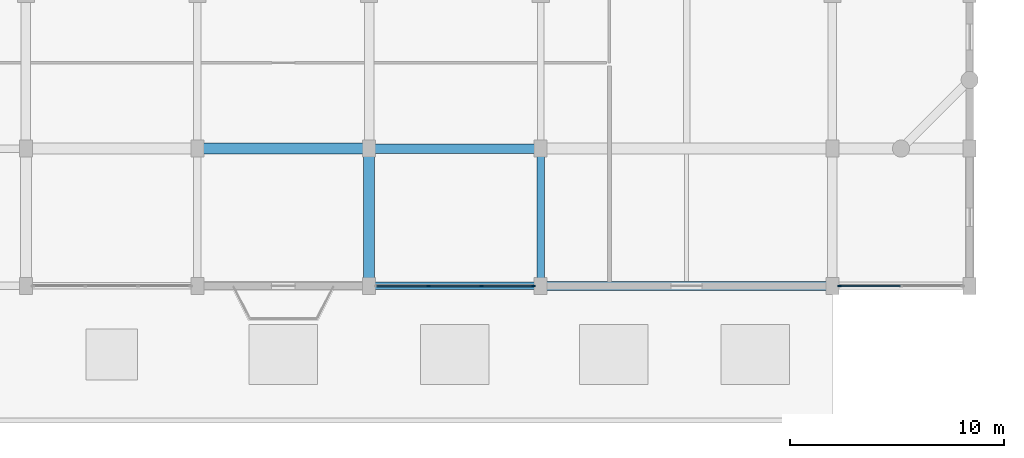
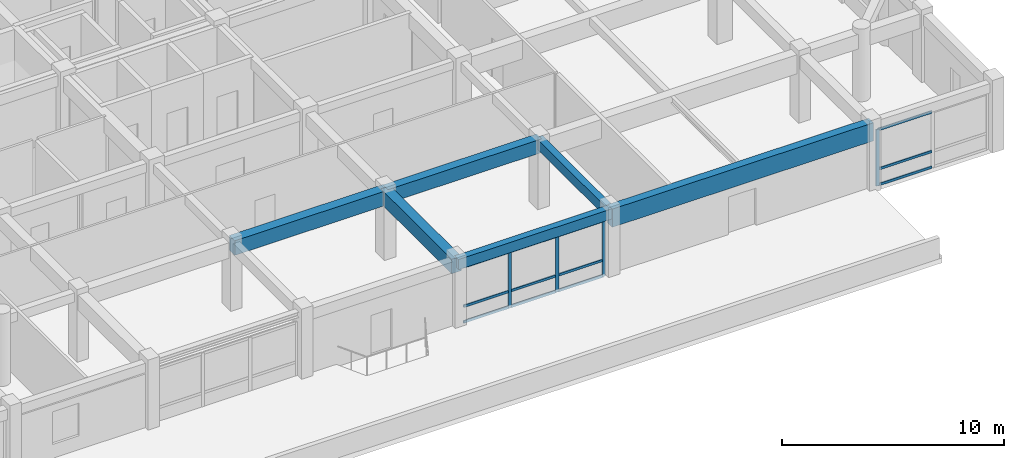
# One storey, part 5 of 20: 16 members, 6 beams, 2 elements without a shape of their own.
"""IFC4 building model written with IfcOpenShell, lengths in metres."""

from ifc_helpers import new_model, si_unit, direction, frame, origin, origin_2d, place, context, subcontext, project, spatial, rectangle, extrude, material, material_profile, profile_set, type_object, element, aggregate, save


model = new_model("IFC4")

# Units and contexts
model_context = context("Model", 3, precision=1e-05, world=origin(), true_north=direction((0.0, 1.0)))
body_context = subcontext(model_context, "Body", "Model", "MODEL_VIEW")
ifc_project = project(units=[si_unit("LENGTHUNIT", "METRE"), si_unit("AREAUNIT", "SQUARE_METRE"), si_unit("VOLUMEUNIT", "CUBIC_METRE"), si_unit("PLANEANGLEUNIT", "RADIAN"), si_unit("MASSUNIT", "GRAM", prefix="KILO")], contexts=[model_context])

# Site, building, storey
site_placement = place(None, origin())
site = spatial("IfcSite", under=ifc_project, at=site_placement, CompositionType="ELEMENT")
building_placement = place(site_placement, origin())
building = spatial("IfcBuilding", under=site, at=building_placement, Name="Vellmiral Cinema and Media Centre", CompositionType="ELEMENT")
storey_placement = place(building_placement, frame((0.0, 0.0, 23.800048828125)))
storey = spatial("IfcBuildingStorey", under=building, at=storey_placement, Name="L05", CompositionType="ELEMENT", Elevation=23.800048828125)

# Beams
ifc_material_1 = material(Name="Concrete C40/50", Category="concrete")
ifc_material_profile_1 = material_profile(ifc_material_1, rectangle(XDim=0.35009765625, YDim=0.550048828125, at=origin_2d()), Name="RC 350x550")
ifc_profile_set_1 = profile_set([ifc_material_profile_1], Name="Concrete C40/50")
beam_type_1 = type_object("IfcBeamType", Name="BM-RC-350x550", PredefinedType="BEAM", material=ifc_profile_set_1)
beam_1_placement = place(storey_placement, frame((148.0, 65.60009765625, 3.419921875), z_axis=(0.0, 1.0, 0.0), x_axis=(-1.0, 0.0, 0.0)))
element("IfcBeam", 1, at=beam_1_placement, inside=storey, type_object=beam_type_1, Name="Grid Beam L05-Y088", PredefinedType="BEAM", context=body_context, shape_type="SweptSolid", body=[
    extrude(rectangle(XDim=0.35009765625, YDim=0.550048828125, at=origin_2d()), origin(), (0.0, 0.0, 1.0), 6.39990234375),
])
ifc_material_2 = material(Name="Concrete C40/50", Category="concrete")
ifc_material_profile_2 = material_profile(ifc_material_2, rectangle(XDim=0.449951171875, YDim=0.75, at=origin_2d()), Name="RC 450x750")
ifc_profile_set_2 = profile_set([ifc_material_profile_2], Name="Concrete C40/50")
beam_type_2 = type_object("IfcBeamType", Name="BM-RC-450x750", PredefinedType="BEAM", material=ifc_profile_set_2)
beam_2_placement = place(storey_placement, frame((140.0, 72.0, 3.320068359375), z_axis=(1.0, 0.0, 0.0), x_axis=(0.0, 1.0, 0.0)))
element("IfcBeam", 2, at=beam_2_placement, inside=storey, type_object=beam_type_2, Name="Grid Beam L05-X014", PredefinedType="BEAM", context=body_context, shape_type="SweptSolid", body=[
    extrude(rectangle(XDim=0.449951171875, YDim=0.75, at=origin_2d()), origin(), (0.0, 0.0, 1.0), 8.0),
])
ifc_material_3 = material(Name="Concrete C40/50", Category="concrete")
ifc_material_profile_3 = material_profile(ifc_material_3, rectangle(XDim=0.5, YDim=0.800048828125, at=origin_2d()), Name="RC 500x800")
ifc_profile_set_3 = profile_set([ifc_material_profile_3], Name="Concrete C40/50")
beam_type_3 = type_object("IfcBeamType", Name="BM-RC-500x800", PredefinedType="BEAM", material=ifc_profile_set_3)
beam_3_placement = place(storey_placement, frame((132.0, 72.0, 3.294921875), z_axis=(1.0, 0.0, 0.0), x_axis=(0.0, 1.0, 0.0)))
element("IfcBeam", 3, at=beam_3_placement, inside=storey, type_object=beam_type_3, Name="Grid Beam L05-X013", PredefinedType="BEAM", context=body_context, shape_type="SweptSolid", body=[
    extrude(rectangle(XDim=0.5, YDim=0.800048828125, at=origin_2d()), origin(), (0.0, 0.0, 1.0), 8.0),
])
beam_4_placement = place(storey_placement, frame((140.0, 65.60009765625, 3.294921875), z_axis=(0.0, 1.0, 0.0), x_axis=(-1.0, 0.0, 0.0)))
element("IfcBeam", 4, at=beam_4_placement, inside=storey, type_object=beam_type_3, Name="Grid Beam L05-Y082", PredefinedType="BEAM", context=body_context, shape_type="SweptSolid", body=[
    extrude(rectangle(XDim=0.5, YDim=0.800048828125, at=origin_2d()), origin(), (0.0, 0.0, 1.0), 6.39990234375),
])

# Curtain wall, members
ifc_material_4 = material(Name="Thermally Broken Aluminium and Triple Glazing", Category="aluminium")
curtain_wall_type = type_object("IfcCurtainWallType", Name="CW-TOWER-LOW-S", PredefinedType="USERDEFINED", material=ifc_material_4)
curtain_wall_1_placement = place(storey_placement, origin())
curtain_wall_1 = element("IfcCurtainWall", 5, at=curtain_wall_1_placement, inside=storey, type_object=curtain_wall_type, Name="Curtain Wall L05-B006", ObjectType="UNITISED CURTAIN WALL", PredefinedType="USERDEFINED")
ifc_material_5 = material(Name="Thermally Broken Anodised Aluminium", Category="aluminium")
ifc_material_profile_4 = material_profile(ifc_material_5, rectangle(XDim=0.06494140625, YDim=0.159912109375, at=origin_2d()), Name="MULL 65x160")
ifc_profile_set_4 = profile_set([ifc_material_profile_4], Name="Thermally Broken Anodised Aluminium")
member_type_1 = type_object("IfcMemberType", Name="CWM-65x160", PredefinedType="MULLION", material=ifc_profile_set_4)
member_1_placement = place(storey_placement, frame((142.7666015625, 65.60009765625, 0.0), z_axis=(0.0, 0.0, 1.0), x_axis=(0.0, 1.0, 0.0)))
member_1 = element("IfcMember", 6, at=member_1_placement, type_object=member_type_1, Name="CW-06 mullion 2", PredefinedType="MULLION", context=body_context, shape_type="SweptSolid", body=[
    extrude(rectangle(XDim=0.06494140625, YDim=0.159912109375, at=origin_2d()), origin(), (0.0, 0.0, 1.0), 3.099853515625),
])
member_2_placement = place(storey_placement, frame((145.2333984375, 65.60009765625, 0.0), z_axis=(0.0, 0.0, 1.0), x_axis=(0.0, 1.0, 0.0)))
member_2 = element("IfcMember", 7, at=member_2_placement, type_object=member_type_1, Name="CW-06 mullion 3", PredefinedType="MULLION", context=body_context, shape_type="SweptSolid", body=[
    extrude(rectangle(XDim=0.06494140625, YDim=0.159912109375, at=origin_2d()), origin(), (0.0, 0.0, 1.0), 3.099853515625),
])
member_3_placement = place(storey_placement, frame((147.66748046875, 65.60009765625, 0.0), z_axis=(0.0, 0.0, 1.0), x_axis=(0.0, 1.0, 0.0)))
member_3 = element("IfcMember", 8, at=member_3_placement, type_object=member_type_1, Name="CW-06 mullion 4", PredefinedType="MULLION", context=body_context, shape_type="SweptSolid", body=[
    extrude(rectangle(XDim=0.06494140625, YDim=0.159912109375, at=origin_2d()), origin(), (0.0, 0.0, 1.0), 3.099853515625),
])

# Curtain wall, member
curtain_wall_2_placement = place(storey_placement, origin())
curtain_wall_2 = element("IfcCurtainWall", 9, at=curtain_wall_2_placement, inside=storey, type_object=curtain_wall_type, Name="Curtain Wall L05-B008", ObjectType="UNITISED CURTAIN WALL", PredefinedType="USERDEFINED")
member_4_placement = place(storey_placement, frame((161.9326171875, 65.60009765625, 0.0), z_axis=(0.0, 0.0, 1.0), x_axis=(0.0, 1.0, 0.0)))
member_4 = element("IfcMember", 10, at=member_4_placement, type_object=member_type_1, Name="CW-06 mullion 1", PredefinedType="MULLION", context=body_context, shape_type="SweptSolid", body=[
    extrude(rectangle(XDim=0.06494140625, YDim=0.159912109375, at=origin_2d()), origin(), (0.0, 0.0, 1.0), 3.099853515625),
])

# Member
ifc_material_6 = material(Name="Thermally Broken Anodised Aluminium", Category="aluminium")
ifc_material_profile_5 = material_profile(ifc_material_6, rectangle(XDim=0.06494140625, YDim=0.135009765625, at=origin_2d()), Name="MULL 65x135")
ifc_profile_set_5 = profile_set([ifc_material_profile_5], Name="Thermally Broken Anodised Aluminium")
member_type_2 = type_object("IfcMemberType", Name="CWT-65x135", PredefinedType="USERDEFINED", material=ifc_profile_set_5)
member_5_placement = place(storey_placement, frame((140.364990234375, 65.60009765625, 0.032470703125), z_axis=(1.0, 0.0, 0.0), x_axis=(0.0, 1.0, 0.0)))
member_5 = element("IfcMember", 11, at=member_5_placement, type_object=member_type_2, Name="CW-06 transom 1.1", ObjectType="TRANSOM", PredefinedType="USERDEFINED", context=body_context, shape_type="SweptSolid", body=[
    extrude(rectangle(XDim=0.06494140625, YDim=0.135009765625, at=origin_2d()), origin(), (0.0, 0.0, 1.0), 2.369140625),
])

member_6_placement = place(storey_placement, frame((140.364990234375, 65.60009765625, 0.89990234375), z_axis=(1.0, 0.0, 0.0), x_axis=(0.0, 1.0, 0.0)))
member_6 = element("IfcMember", 12, at=member_6_placement, type_object=member_type_2, Name="CW-06 transom 1.2", ObjectType="TRANSOM", PredefinedType="USERDEFINED", context=body_context, shape_type="SweptSolid", body=[
    extrude(rectangle(XDim=0.06494140625, YDim=0.135009765625, at=origin_2d()), origin(), (0.0, 0.0, 1.0), 2.369140625),
])

member_7_placement = place(storey_placement, frame((140.364990234375, 65.60009765625, 3.0673828125), z_axis=(1.0, 0.0, 0.0), x_axis=(0.0, 1.0, 0.0)))
member_7 = element("IfcMember", 13, at=member_7_placement, type_object=member_type_2, Name="CW-06 transom 1.3", ObjectType="TRANSOM", PredefinedType="USERDEFINED", context=body_context, shape_type="SweptSolid", body=[
    extrude(rectangle(XDim=0.06494140625, YDim=0.135009765625, at=origin_2d()), origin(), (0.0, 0.0, 1.0), 2.369140625),
])

member_8_placement = place(storey_placement, frame((142.799072265625, 65.60009765625, 0.032470703125), z_axis=(1.0, 0.0, 0.0), x_axis=(0.0, 1.0, 0.0)))
member_8 = element("IfcMember", 14, at=member_8_placement, type_object=member_type_2, Name="CW-06 transom 2.1", ObjectType="TRANSOM", PredefinedType="USERDEFINED", context=body_context, shape_type="SweptSolid", body=[
    extrude(rectangle(XDim=0.06494140625, YDim=0.135009765625, at=origin_2d()), origin(), (0.0, 0.0, 1.0), 2.40185546875),
])

member_9_placement = place(storey_placement, frame((142.799072265625, 65.60009765625, 0.89990234375), z_axis=(1.0, 0.0, 0.0), x_axis=(0.0, 1.0, 0.0)))
member_9 = element("IfcMember", 15, at=member_9_placement, type_object=member_type_2, Name="CW-06 transom 2.2", ObjectType="TRANSOM", PredefinedType="USERDEFINED", context=body_context, shape_type="SweptSolid", body=[
    extrude(rectangle(XDim=0.06494140625, YDim=0.135009765625, at=origin_2d()), origin(), (0.0, 0.0, 1.0), 2.40185546875),
])

member_10_placement = place(storey_placement, frame((142.799072265625, 65.60009765625, 3.0673828125), z_axis=(1.0, 0.0, 0.0), x_axis=(0.0, 1.0, 0.0)))
member_10 = element("IfcMember", 16, at=member_10_placement, type_object=member_type_2, Name="CW-06 transom 2.3", ObjectType="TRANSOM", PredefinedType="USERDEFINED", context=body_context, shape_type="SweptSolid", body=[
    extrude(rectangle(XDim=0.06494140625, YDim=0.135009765625, at=origin_2d()), origin(), (0.0, 0.0, 1.0), 2.40185546875),
])

member_11_placement = place(storey_placement, frame((145.265869140625, 65.60009765625, 0.032470703125), z_axis=(1.0, 0.0, 0.0), x_axis=(0.0, 1.0, 0.0)))
member_11 = element("IfcMember", 17, at=member_11_placement, type_object=member_type_2, Name="CW-06 transom 3.1", ObjectType="TRANSOM", PredefinedType="USERDEFINED", context=body_context, shape_type="SweptSolid", body=[
    extrude(rectangle(XDim=0.06494140625, YDim=0.135009765625, at=origin_2d()), origin(), (0.0, 0.0, 1.0), 2.369140625),
])

member_12_placement = place(storey_placement, frame((145.265869140625, 65.60009765625, 0.89990234375), z_axis=(1.0, 0.0, 0.0), x_axis=(0.0, 1.0, 0.0)))
member_12 = element("IfcMember", 18, at=member_12_placement, type_object=member_type_2, Name="CW-06 transom 3.2", ObjectType="TRANSOM", PredefinedType="USERDEFINED", context=body_context, shape_type="SweptSolid", body=[
    extrude(rectangle(XDim=0.06494140625, YDim=0.135009765625, at=origin_2d()), origin(), (0.0, 0.0, 1.0), 2.369140625),
])

member_13_placement = place(storey_placement, frame((145.265869140625, 65.60009765625, 3.0673828125), z_axis=(1.0, 0.0, 0.0), x_axis=(0.0, 1.0, 0.0)))
member_13 = element("IfcMember", 19, at=member_13_placement, type_object=member_type_2, Name="CW-06 transom 3.3", ObjectType="TRANSOM", PredefinedType="USERDEFINED", context=body_context, shape_type="SweptSolid", body=[
    extrude(rectangle(XDim=0.06494140625, YDim=0.135009765625, at=origin_2d()), origin(), (0.0, 0.0, 1.0), 2.369140625),
])

aggregate(curtain_wall_1, [member_1, member_2, member_3, member_5, member_6, member_7, member_8, member_9, member_10, member_11, member_12, member_13])

member_14_placement = place(storey_placement, frame((161.965087890625, 65.60009765625, 0.032470703125), z_axis=(1.0, 0.0, 0.0), x_axis=(0.0, 1.0, 0.0)))
member_14 = element("IfcMember", 20, at=member_14_placement, type_object=member_type_2, Name="CW-06 transom 1.1", ObjectType="TRANSOM", PredefinedType="USERDEFINED", context=body_context, shape_type="SweptSolid", body=[
    extrude(rectangle(XDim=0.06494140625, YDim=0.135009765625, at=origin_2d()), origin(), (0.0, 0.0, 1.0), 2.802490234375),
])

member_15_placement = place(storey_placement, frame((161.965087890625, 65.60009765625, 0.89990234375), z_axis=(1.0, 0.0, 0.0), x_axis=(0.0, 1.0, 0.0)))
member_15 = element("IfcMember", 21, at=member_15_placement, type_object=member_type_2, Name="CW-06 transom 1.2", ObjectType="TRANSOM", PredefinedType="USERDEFINED", context=body_context, shape_type="SweptSolid", body=[
    extrude(rectangle(XDim=0.06494140625, YDim=0.135009765625, at=origin_2d()), origin(), (0.0, 0.0, 1.0), 2.802490234375),
])

member_16_placement = place(storey_placement, frame((161.965087890625, 65.60009765625, 3.0673828125), z_axis=(1.0, 0.0, 0.0), x_axis=(0.0, 1.0, 0.0)))
member_16 = element("IfcMember", 22, at=member_16_placement, type_object=member_type_2, Name="CW-06 transom 1.3", ObjectType="TRANSOM", PredefinedType="USERDEFINED", context=body_context, shape_type="SweptSolid", body=[
    extrude(rectangle(XDim=0.06494140625, YDim=0.135009765625, at=origin_2d()), origin(), (0.0, 0.0, 1.0), 2.802490234375),
])

aggregate(curtain_wall_2, [member_4, member_14, member_15, member_16])

# Beams
ifc_material_7 = material(Name="Concrete C40/50", Category="concrete")
ifc_material_profile_6 = material_profile(ifc_material_7, rectangle(XDim=0.35009765625, YDim=0.56005859375, at=origin_2d()), Name="RC 350x560")
ifc_profile_set_6 = profile_set([ifc_material_profile_6], Name="Concrete C40/50")
beam_type_4 = type_object("IfcBeamType", Name="SPD-RC-350x560", PredefinedType="SPANDREL", material=ifc_profile_set_6)
beam_5_placement = place(storey_placement, frame((140.0, 65.60009765625, 3.4150390625), z_axis=(1.0, 0.0, 0.0), x_axis=(0.0, 1.0, 0.0)))
element("IfcBeam", 23, at=beam_5_placement, inside=storey, type_object=beam_type_4, Name="Grid Beam L05-X006", PredefinedType="SPANDREL", context=body_context, shape_type="SweptSolid", body=[
    extrude(rectangle(XDim=0.35009765625, YDim=0.56005859375, at=origin_2d()), origin(), (0.0, 0.0, 1.0), 8.0),
])
ifc_material_8 = material(Name="Vosges Red Sandstone Masonry", Category="masonry")
ifc_material_profile_7 = material_profile(ifc_material_8, rectangle(XDim=0.419921875, YDim=1.0, at=origin_2d()), Name="SAND 420x1000")
ifc_profile_set_7 = profile_set([ifc_material_profile_7], Name="Vosges Red Sandstone Masonry")
beam_type_5 = type_object("IfcBeamType", Name="SPD-SANDG-420x1000", PredefinedType="SPANDREL", material=ifc_profile_set_7)
beam_6_placement = place(storey_placement, frame((148.0, 65.60009765625, 3.195068359375), z_axis=(1.0, 0.0, 0.0), x_axis=(0.0, 1.0, 0.0)))
element("IfcBeam", 24, at=beam_6_placement, inside=storey, type_object=beam_type_5, Name="Grid Beam L05-X007", PredefinedType="SPANDREL", context=body_context, shape_type="SweptSolid", body=[
    extrude(rectangle(XDim=0.419921875, YDim=1.0, at=origin_2d()), origin(), (0.0, 0.0, 1.0), 13.60009765625),
])

save(model, "model.ifc")
